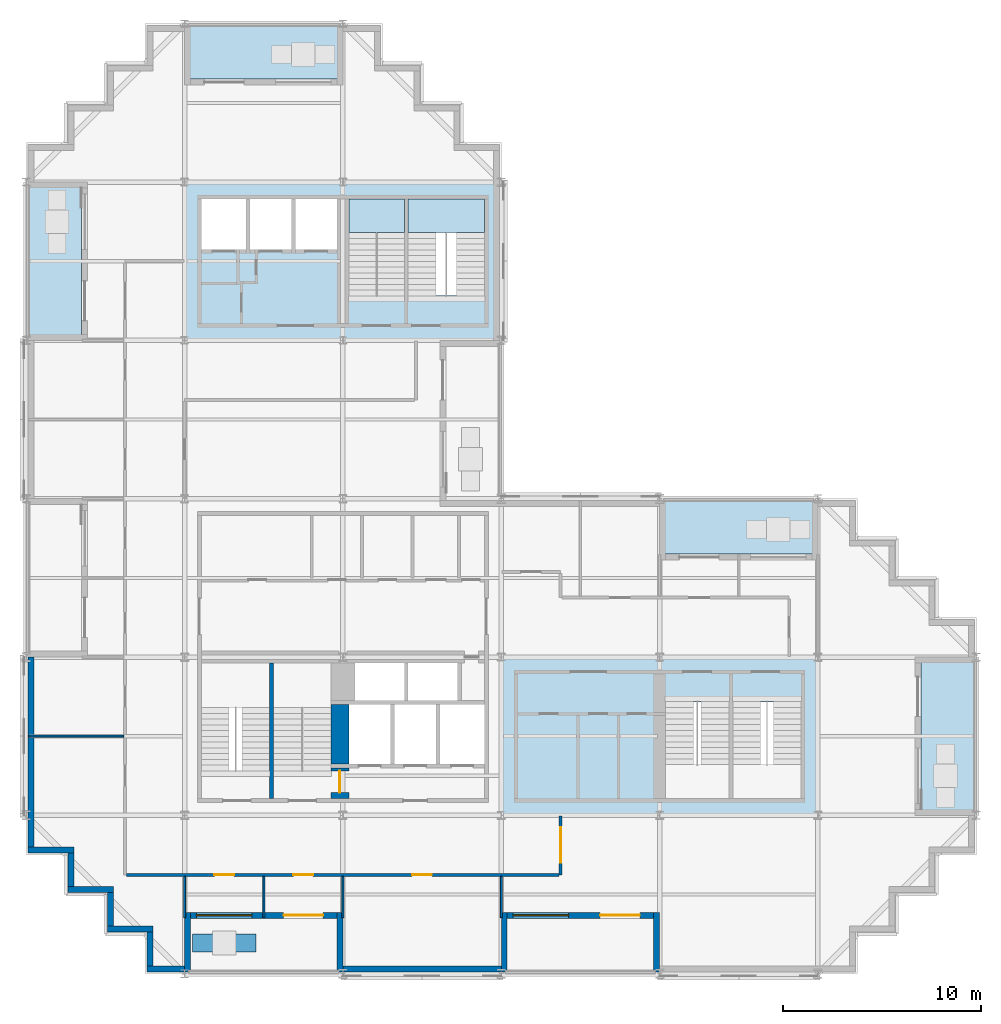
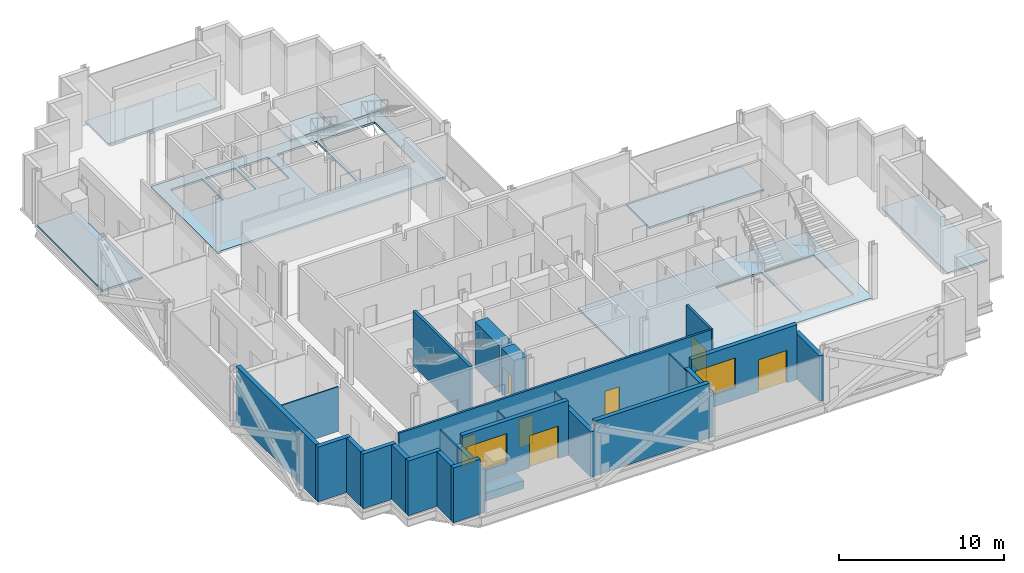
# One storey, part 4 of 12: 26 walls, 8 slabs, 7 doors, 2 windows, 9 openings, 2 elements without a shape of their own.
"""IFC4 building model written with IfcOpenShell, lengths in metres."""

from ifc_helpers import new_model, si_unit, direction, frame, frame_2d, origin, place, context, subcontext, project, spatial, polyline, rectangle, outline, extrude, material, layer, layer_set, type_object, element, fill, aggregate, save


model = new_model("IFC4")

# Units and contexts
model_context = context("Model", 3, precision=1e-05, world=origin(), true_north=direction((0.0, 1.0)))
body_context = subcontext(model_context, "Body", "Model", "MODEL_VIEW")
ifc_project = project(units=[si_unit("LENGTHUNIT", "METRE"), si_unit("AREAUNIT", "SQUARE_METRE"), si_unit("VOLUMEUNIT", "CUBIC_METRE"), si_unit("PLANEANGLEUNIT", "RADIAN"), si_unit("MASSUNIT", "GRAM", prefix="KILO")], contexts=[model_context])

# Site, building, storey
site_placement = place(None, origin())
site = spatial("IfcSite", under=ifc_project, at=site_placement, CompositionType="ELEMENT")
building_placement = place(site_placement, origin())
building = spatial("IfcBuilding", under=site, at=building_placement, Name="Immortelle Media Tower", CompositionType="ELEMENT")
storey_placement = place(building_placement, frame((0.0, 0.0, 132.60009765625)))
storey = spatial("IfcBuildingStorey", under=building, at=storey_placement, Name="L26", CompositionType="ELEMENT", Elevation=132.60009765625)

# Slabs
ifc_material_1 = material(Name="Concrete C50/60 composite deck", Category="concrete")
ifc_layer_1 = layer(ifc_material_1, 0.14990234375)
ifc_layer_set_1 = layer_set([ifc_layer_1], Name="Concrete C50/60 composite deck")
slab_type_1 = type_object("IfcSlabType", Name="Balcony slab 150", PredefinedType="FLOOR", material=ifc_layer_set_1)
slab_1_placement = place(storey_placement, frame((0.0, 0.0, -0.150146484375)))
element("IfcSlab", 1, at=slab_1_placement, inside=storey, type_object=slab_type_1, Name="Balcony slab L26 E0", PredefinedType="FLOOR", context=body_context, shape_type="SweptSolid", body=[
    extrude(outline(polyline([(48.0, 8.0), (48.0, 16.0), (45.199951171875, 16.0), (45.199951171875, 8.0), (48.0, 8.0)])), origin(), (0.0, 0.0, 1.0), 0.150146484375),
])
slab_2_placement = place(storey_placement, frame((0.0, 0.0, -0.150146484375)))
element("IfcSlab", 2, at=slab_2_placement, inside=storey, type_object=slab_type_1, Name="Balcony slab L26 N0", PredefinedType="FLOOR", context=body_context, shape_type="SweptSolid", body=[
    extrude(outline(polyline([(40.0, 21.199951171875), (40.0, 24.0), (32.0, 24.0), (32.0, 21.199951171875), (40.0, 21.199951171875)])), origin(), (0.0, 0.0, 1.0), 0.150146484375),
])
slab_3_placement = place(storey_placement, frame((0.0, 0.0, -0.150146484375)))
element("IfcSlab", 3, at=slab_3_placement, inside=storey, type_object=slab_type_1, Name="Balcony slab L26 N0", PredefinedType="FLOOR", context=body_context, shape_type="SweptSolid", body=[
    extrude(outline(polyline([(16.0, 45.199951171875), (16.0, 48.0), (8.0, 48.0), (8.0, 45.199951171875), (16.0, 45.199951171875)])), origin(), (0.0, 0.0, 1.0), 0.150146484375),
])
slab_4_placement = place(storey_placement, frame((0.0, 0.0, -0.150146484375)))
element("IfcSlab", 4, at=slab_4_placement, inside=storey, type_object=slab_type_1, Name="Balcony slab L26 W0", PredefinedType="FLOOR", context=body_context, shape_type="SweptSolid", body=[
    extrude(outline(polyline([(2.800048828125, 32.0), (2.800048828125, 40.0), (0.0, 40.0), (0.0, 32.0), (2.800048828125, 32.0)])), origin(), (0.0, 0.0, 1.0), 0.150146484375),
])
ifc_material_2 = material(Name="Concrete C50/60", Category="concrete")
ifc_layer_2 = layer(ifc_material_2, 0.14990234375)
ifc_layer_set_2 = layer_set([ifc_layer_2], Name="Concrete C50/60")
slab_type_2 = type_object("IfcSlabType", Name="Core floor slab 150", PredefinedType="FLOOR", material=ifc_layer_set_2)
slab_5_placement = place(storey_placement, frame((0.0, 0.0, -0.150146484375)))
element("IfcSlab", 5, at=slab_5_placement, inside=storey, type_object=slab_type_2, Name="Core floor SE", PredefinedType="FLOOR", context=body_context, shape_type="SweptSolid", body=[
    extrude(outline(polyline([(24.0, 8.0), (40.0, 8.0), (40.0, 16.0), (24.0, 16.0), (24.0, 8.0)]), holes=[polyline([(32.300048828125, 8.85009765625), (35.5, 8.85009765625), (35.5, 13.72998046875), (32.300048828125, 13.72998046875), (32.300048828125, 8.85009765625)]), polyline([(35.699951171875, 8.85009765625), (39.14990234375, 8.85009765625), (39.14990234375, 13.72998046875), (35.699951171875, 13.72998046875), (35.699951171875, 8.85009765625)])]), origin(), (0.0, 0.0, 1.0), 0.150146484375),
])
slab_6_placement = place(storey_placement, frame((0.0, 0.0, -0.150146484375)))
element("IfcSlab", 6, at=slab_6_placement, inside=storey, type_object=slab_type_2, Name="Core floor NW", PredefinedType="FLOOR", context=body_context, shape_type="SweptSolid", body=[
    extrude(outline(polyline([(8.0, 32.0), (24.0, 32.0), (24.0, 40.0), (8.0, 40.0), (8.0, 32.0)]), holes=[polyline([(8.85009765625, 36.60009765625), (11.10009765625, 36.60009765625), (11.10009765625, 39.14990234375), (8.85009765625, 39.14990234375), (8.85009765625, 36.60009765625)]), polyline([(11.300048828125, 36.60009765625), (13.39990234375, 36.60009765625), (13.39990234375, 39.14990234375), (11.300048828125, 39.14990234375), (11.300048828125, 36.60009765625)]), polyline([(13.60009765625, 36.60009765625), (15.699951171875, 36.60009765625), (15.699951171875, 39.14990234375), (13.60009765625, 39.14990234375), (13.60009765625, 36.60009765625)]), polyline([(16.300048828125, 34.27001953125), (19.10009765625, 34.27001953125), (19.10009765625, 39.14990234375), (16.300048828125, 39.14990234375), (16.300048828125, 34.27001953125)]), polyline([(19.300048828125, 34.27001953125), (23.14990234375, 34.27001953125), (23.14990234375, 39.14990234375), (19.300048828125, 39.14990234375), (19.300048828125, 34.27001953125)])]), origin(), (0.0, 0.0, 1.0), 0.150146484375),
])

# Stair, slab
ifc_material_3 = material(Name="Steel ASTM A992 Gr 50", Category="steel")
stair_type = type_object("IfcStairType", Name="Stair with flights", PredefinedType="DOUBLE_RETURN_STAIR", material=ifc_material_3)
stair_1_placement = place(storey_placement, origin())
stair_1 = element("IfcStair", 7, at=stair_1_placement, inside=storey, type_object=stair_type, Name="Exit stair NW1", PredefinedType="DOUBLE_RETURN_STAIR")
ifc_material_4 = material(Name="Steel ASTM A572 Gr 50", Category="steel")
ifc_layer_3 = layer(ifc_material_4, 0.199951171875)
ifc_layer_set_3 = layer_set([ifc_layer_3], Name="Steel ASTM A572 Gr 50")
slab_type_3 = type_object("IfcSlabType", Name="Stair landing 200", PredefinedType="LANDING", material=ifc_layer_set_3)
slab_7_placement = place(storey_placement, frame((0.0, 0.0, 1.89990234375)))
slab_7 = element("IfcSlab", 8, at=slab_7_placement, type_object=slab_type_3, Name="ST NW1 landing 1", PredefinedType="LANDING", context=body_context, shape_type="SweptSolid", body=[
    extrude(outline(polyline([(16.300048828125, 37.43994140625), (19.10009765625, 37.43994140625), (19.10009765625, 39.14990234375), (16.300048828125, 39.14990234375), (16.300048828125, 37.43994140625)])), origin(), (0.0, 0.0, 1.0), 0.199951171875),
])
aggregate(stair_1, [slab_7])

stair_2_placement = place(storey_placement, origin())
stair_2 = element("IfcStair", 9, at=stair_2_placement, inside=storey, type_object=stair_type, Name="Exit stair NW2", PredefinedType="DOUBLE_RETURN_STAIR")
slab_8_placement = place(storey_placement, frame((0.0, 0.0, 1.89990234375)))
slab_8 = element("IfcSlab", 10, at=slab_8_placement, type_object=slab_type_3, Name="ST NW2 landing 1", PredefinedType="LANDING", context=body_context, shape_type="SweptSolid", body=[
    extrude(outline(polyline([(19.300048828125, 37.43994140625), (23.14990234375, 37.43994140625), (23.14990234375, 39.14990234375), (19.300048828125, 39.14990234375), (19.300048828125, 37.43994140625)])), origin(), (0.0, 0.0, 1.0), 0.199951171875),
])
aggregate(stair_2, [slab_8])

# Wall, openings, doors
ifc_material_5 = material(Name="Fire-rated gypsum board", Category="gypsum")
ifc_layer_4 = layer(ifc_material_5, 0.012451171875)
ifc_material_6 = material(Name="Steel ASTM A653 SS Gr 50 stud frame with mineral wool", Category="steel")
ifc_layer_5 = layer(ifc_material_6, 0.125)
ifc_layer_6 = layer(ifc_material_5, 0.012451171875)
ifc_layer_set_4 = layer_set([ifc_layer_4, ifc_layer_5, ifc_layer_6], Name="Steel ASTM A653 SS Gr 50 stud frame with mineral wool")
wall_type_1 = type_object("IfcWallType", Name="Corridor wall 150", PredefinedType="PARTITIONING", material=ifc_layer_set_4)
wall_1_placement = place(storey_placement, frame((5.074951171875, 5.0, 0.0), z_axis=(0.0, 0.0, 1.0), x_axis=(1.0, 0.0, 0.0)))
wall_1 = element("IfcWall", 11, at=wall_1_placement, inside=storey, type_object=wall_type_1, Name="Partition L26-005", PredefinedType="PARTITIONING", context=body_context, shape_type="SweptSolid", body=[
    extrude(rectangle(XDim=21.85009765625, YDim=0.14990234375, at=frame_2d((10.925048828125, 0.0))), origin(), (0.0, 0.0, 1.0), 4.0498046875),
])
opening_1_placement = place(wall_1_placement, frame((15.425048828125, 0.0, 0.0), z_axis=(0.0, 0.0, 1.0), x_axis=(-1.0, 0.0, 0.0)))
opening_1 = element("IfcOpeningElement", 12, at=opening_1_placement, cuts=wall_1, Name="Opening C2-F001", PredefinedType="OPENING", context=body_context, shape_type="SweptSolid", body=[
    extrude(rectangle(XDim=1.0, YDim=2.10009765625, at=frame_2d((0.5, 1.050048828125))), frame((0.0, 0.0849609375, 0.0), z_axis=(0.0, -1.0, 0.0), x_axis=(1.0, 0.0, 0.0)), (0.0, 0.0, 1.0), 0.169921875),
])
opening_2_placement = place(wall_1_placement, frame((5.425048828125, 0.0, 0.0), z_axis=(0.0, 0.0, 1.0), x_axis=(-1.0, 0.0, 0.0)))
opening_2 = element("IfcOpeningElement", 13, at=opening_2_placement, cuts=wall_1, Name="Opening C2-F002", PredefinedType="OPENING", context=body_context, shape_type="SweptSolid", body=[
    extrude(rectangle(XDim=1.0, YDim=2.10009765625, at=frame_2d((0.5, 1.050048828125))), frame((0.0, 0.0849609375, 0.0), z_axis=(0.0, -1.0, 0.0), x_axis=(1.0, 0.0, 0.0)), (0.0, 0.0, 1.0), 0.169921875),
])
opening_3_placement = place(wall_1_placement, frame((9.425048828125, 0.0, 0.0), z_axis=(0.0, 0.0, 1.0), x_axis=(-1.0, 0.0, 0.0)))
opening_3 = element("IfcOpeningElement", 14, at=opening_3_placement, cuts=wall_1, Name="Opening C2-F003", PredefinedType="OPENING", context=body_context, shape_type="SweptSolid", body=[
    extrude(rectangle(XDim=1.0, YDim=2.10009765625, at=frame_2d((0.5, 1.050048828125))), frame((0.0, 0.0849609375, 0.0), z_axis=(0.0, -1.0, 0.0), x_axis=(1.0, 0.0, 0.0)), (0.0, 0.0, 1.0), 0.169921875),
])
ifc_material_7 = material(Name="Timber veneered door leaf, galvanised steel frame ASTM A653", Category="steel")
door_type_1 = type_object("IfcDoorType", Name="Room door 1000 x 2100", OperationType="NOTDEFINED", PredefinedType="DOOR", material=ifc_material_7)
door_1_placement = place(opening_1_placement, origin())
door_1 = element("IfcDoor", 15, at=door_1_placement, inside=storey, type_object=door_type_1, Name="Door C2-F001", OperationType="SINGLE_SWING_RIGHT", OverallHeight=2.10009765625, OverallWidth=1.0, PredefinedType="DOOR", context=body_context, shape_type="SweptSolid", body=[
    extrude(rectangle(XDim=1.0, YDim=2.10009765625, at=frame_2d((0.5, 1.050048828125))), frame((0.0, 0.02490234375, 0.0), z_axis=(0.0, -1.0, 0.0), x_axis=(1.0, 0.0, 0.0)), (0.0, 0.0, 1.0), 0.050048828125),
])
fill(opening_1, door_1)
door_2_placement = place(opening_2_placement, origin())
door_2 = element("IfcDoor", 16, at=door_2_placement, inside=storey, type_object=door_type_1, Name="Door C2-F002", OperationType="SINGLE_SWING_LEFT", OverallHeight=2.10009765625, OverallWidth=1.0, PredefinedType="DOOR", context=body_context, shape_type="SweptSolid", body=[
    extrude(rectangle(XDim=1.0, YDim=2.10009765625, at=frame_2d((0.5, 1.050048828125))), frame((0.0, 0.02490234375, 0.0), z_axis=(0.0, -1.0, 0.0), x_axis=(1.0, 0.0, 0.0)), (0.0, 0.0, 1.0), 0.050048828125),
])
fill(opening_2, door_2)
door_3_placement = place(opening_3_placement, origin())
door_3 = element("IfcDoor", 17, at=door_3_placement, inside=storey, type_object=door_type_1, Name="Door C2-F003", OperationType="SINGLE_SWING_LEFT", OverallHeight=2.10009765625, OverallWidth=1.0, PredefinedType="DOOR", context=body_context, shape_type="SweptSolid", body=[
    extrude(rectangle(XDim=1.0, YDim=2.10009765625, at=frame_2d((0.5, 1.050048828125))), frame((0.0, 0.02490234375, 0.0), z_axis=(0.0, -1.0, 0.0), x_axis=(1.0, 0.0, 0.0)), (0.0, 0.0, 1.0), 0.050048828125),
])
fill(opening_3, door_3)

# Wall, opening, door
wall_2_placement = place(storey_placement, frame((27.0, 5.0, 0.0), z_axis=(0.0, 0.0, 1.0), x_axis=(0.0, 1.0, 0.0)))
wall_2 = element("IfcWall", 18, at=wall_2_placement, inside=storey, type_object=wall_type_1, Name="Partition L26-007", PredefinedType="PARTITIONING", context=body_context, shape_type="SweptSolid", body=[
    extrude(rectangle(XDim=2.969970703125, YDim=0.14990234375, at=frame_2d((1.48486328125, 0.0))), origin(), (0.0, 0.0, 1.0), 4.0498046875),
])
opening_4_placement = place(wall_2_placement, frame((0.60009765625, 0.0, 0.0)))
opening_4 = element("IfcOpeningElement", 19, at=opening_4_placement, cuts=wall_2, Name="Opening C2-F004", PredefinedType="OPENING", context=body_context, shape_type="SweptSolid", body=[
    extrude(rectangle(XDim=1.800048828125, YDim=2.10009765625, at=frame_2d((0.89990234375, 1.050048828125))), frame((0.0, 0.0849609375, 0.0), z_axis=(0.0, -1.0, 0.0), x_axis=(1.0, 0.0, 0.0)), (0.0, 0.0, 1.0), 0.169921875),
])
door_type_2 = type_object("IfcDoorType", Name="Room door 1800 x 2100", OperationType="DOUBLE_DOOR_SINGLE_SWING", PredefinedType="DOOR", material=ifc_material_7)
door_4_placement = place(opening_4_placement, origin())
door_4 = element("IfcDoor", 20, at=door_4_placement, inside=storey, type_object=door_type_2, Name="Door C2-F004", OperationType="DOUBLE_DOOR_SINGLE_SWING", OverallHeight=2.10009765625, OverallWidth=1.800048828125, PredefinedType="DOOR", context=body_context, shape_type="SweptSolid", body=[
    extrude(rectangle(XDim=1.800048828125, YDim=2.10009765625, at=frame_2d((0.89990234375, 1.050048828125))), frame((0.0, 0.02490234375, 0.0), z_axis=(0.0, -1.0, 0.0), x_axis=(1.0, 0.0, 0.0)), (0.0, 0.0, 1.0), 0.050048828125),
])
fill(opening_4, door_4)

# Walls
ifc_material_8 = material(Name="Pale aluminium cladding panel", Category="aluminium")
ifc_layer_7 = layer(ifc_material_8, 0.030029296875)
ifc_layer_8 = layer(ifc_material_6, 0.257568359375)
ifc_material_9 = material(Name="Moisture-resistant gypsum board", Category="gypsum")
ifc_layer_9 = layer(ifc_material_9, 0.012451171875)
ifc_layer_set_5 = layer_set([ifc_layer_7, ifc_layer_8, ifc_layer_9], Name="Steel ASTM A653 SS Gr 50 stud frame with mineral wool")
wall_type_2 = type_object("IfcWallType", Name="Facade wall 300", PredefinedType="SOLIDWALL", material=ifc_layer_set_5)
wall_3_placement = place(storey_placement, frame((0.10009765625, 6.25, 0.0), z_axis=(0.0, 0.0, 1.0), x_axis=(1.0, 0.0, 0.0)))
element("IfcWall", 21, at=wall_3_placement, inside=storey, type_object=wall_type_2, Name="Facade wall L26 S0", PredefinedType="SOLIDWALL", context=body_context, shape_type="SweptSolid", body=[
    extrude(rectangle(XDim=2.2998046875, YDim=0.300048828125, at=frame_2d((1.14990234375, 0.0))), origin(), (0.0, 0.0, 1.0), 4.0498046875),
])
wall_4_placement = place(storey_placement, frame((2.25, 6.10009765625, 0.0), z_axis=(0.0, 0.0, 1.0), x_axis=(0.0, -1.0, 0.0)))
element("IfcWall", 22, at=wall_4_placement, inside=storey, type_object=wall_type_2, Name="Facade wall L26 W1", PredefinedType="SOLIDWALL", context=body_context, shape_type="SweptSolid", body=[
    extrude(rectangle(XDim=1.7001953125, YDim=0.300048828125, at=frame_2d((0.85009765625, 0.0))), origin(), (0.0, 0.0, 1.0), 4.0498046875),
])
wall_5_placement = place(storey_placement, frame((2.10009765625, 4.25, 0.0), z_axis=(0.0, 0.0, 1.0), x_axis=(1.0, 0.0, 0.0)))
element("IfcWall", 23, at=wall_5_placement, inside=storey, type_object=wall_type_2, Name="Facade wall L26 S2", PredefinedType="SOLIDWALL", context=body_context, shape_type="SweptSolid", body=[
    extrude(rectangle(XDim=2.2998046875, YDim=0.300048828125, at=frame_2d((1.14990234375, 0.0))), origin(), (0.0, 0.0, 1.0), 4.0498046875),
])
wall_6_placement = place(storey_placement, frame((4.25, 4.10009765625, 0.0), z_axis=(0.0, 0.0, 1.0), x_axis=(0.0, -1.0, 0.0)))
element("IfcWall", 24, at=wall_6_placement, inside=storey, type_object=wall_type_2, Name="Facade wall L26 W3", PredefinedType="SOLIDWALL", context=body_context, shape_type="SweptSolid", body=[
    extrude(rectangle(XDim=1.7001953125, YDim=0.300048828125, at=frame_2d((0.85009765625, 0.0))), origin(), (0.0, 0.0, 1.0), 4.0498046875),
])
wall_7_placement = place(storey_placement, frame((4.10009765625, 2.25, 0.0), z_axis=(0.0, 0.0, 1.0), x_axis=(1.0, 0.0, 0.0)))
element("IfcWall", 25, at=wall_7_placement, inside=storey, type_object=wall_type_2, Name="Facade wall L26 S4", PredefinedType="SOLIDWALL", context=body_context, shape_type="SweptSolid", body=[
    extrude(rectangle(XDim=2.2998046875, YDim=0.300048828125, at=frame_2d((1.14990234375, 0.0))), origin(), (0.0, 0.0, 1.0), 4.0498046875),
])
wall_8_placement = place(storey_placement, frame((6.25, 2.10009765625, 0.0), z_axis=(0.0, 0.0, 1.0), x_axis=(0.0, -1.0, 0.0)))
element("IfcWall", 26, at=wall_8_placement, inside=storey, type_object=wall_type_2, Name="Facade wall L26 W5", PredefinedType="SOLIDWALL", context=body_context, shape_type="SweptSolid", body=[
    extrude(rectangle(XDim=1.7001953125, YDim=0.300048828125, at=frame_2d((0.85009765625, 0.0))), origin(), (0.0, 0.0, 1.0), 4.0498046875),
])
wall_9_placement = place(storey_placement, frame((6.10009765625, 0.25, 0.0), z_axis=(0.0, 0.0, 1.0), x_axis=(1.0, 0.0, 0.0)))
element("IfcWall", 27, at=wall_9_placement, inside=storey, type_object=wall_type_2, Name="Facade wall L26 S6", PredefinedType="SOLIDWALL", context=body_context, shape_type="SweptSolid", body=[
    extrude(rectangle(XDim=1.89990234375, YDim=0.300048828125, at=frame_2d((0.949951171875, 0.0))), origin(), (0.0, 0.0, 1.0), 4.0498046875),
])

# Wall, openings, door, window
wall_10_placement = place(storey_placement, frame((8.300048828125, 2.949951171875, 0.0), z_axis=(0.0, 0.0, 1.0), x_axis=(1.0, 0.0, 0.0)))
wall_10 = element("IfcWall", 28, at=wall_10_placement, inside=storey, type_object=wall_type_2, Name="Loggia wall L26 S6", PredefinedType="SOLIDWALL", context=body_context, shape_type="SweptSolid", body=[
    extrude(rectangle(XDim=7.39990234375, YDim=0.300048828125, at=frame_2d((3.699951171875, 0.0))), origin(), (0.0, 0.0, 1.0), 4.0498046875),
])
opening_5_placement = place(wall_10_placement, frame((0.300048828125, 0.0, 0.89990234375)))
opening_5 = element("IfcOpeningElement", 29, at=opening_5_placement, cuts=wall_10, Name="Opening W1", PredefinedType="OPENING", context=body_context, shape_type="SweptSolid", body=[
    extrude(rectangle(XDim=2.800048828125, YDim=2.199951171875, at=frame_2d((1.39990234375, 1.10009765625))), frame((0.0, 0.159912109375, 0.0), z_axis=(0.0, -1.0, 0.0), x_axis=(1.0, 0.0, 0.0)), (0.0, 0.0, 1.0), 0.320068359375),
])
opening_6_placement = place(wall_10_placement, frame((4.699951171875, 0.0, 0.0)))
opening_6 = element("IfcOpeningElement", 30, at=opening_6_placement, cuts=wall_10, Name="Opening C2-E001", PredefinedType="OPENING", context=body_context, shape_type="SweptSolid", body=[
    extrude(rectangle(XDim=2.0, YDim=2.39990234375, at=frame_2d((1.0, 1.199951171875))), frame((0.0, 0.159912109375, 0.0), z_axis=(0.0, -1.0, 0.0), x_axis=(1.0, 0.0, 0.0)), (0.0, 0.0, 1.0), 0.320068359375),
])
ifc_material_10 = material(Name="Aluminium frame, glazed leaves", Category="aluminium")
door_type_3 = type_object("IfcDoorType", Name="Loggia door 2000 x 2400", OperationType="DOUBLE_DOOR_SINGLE_SWING", PredefinedType="DOOR", material=ifc_material_10)
door_5_placement = place(opening_6_placement, origin())
door_5 = element("IfcDoor", 31, at=door_5_placement, inside=storey, type_object=door_type_3, Name="Door C2-E001", OperationType="DOUBLE_DOOR_SINGLE_SWING", OverallHeight=2.39990234375, OverallWidth=2.0, PredefinedType="DOOR", context=body_context, shape_type="SweptSolid", body=[
    extrude(rectangle(XDim=2.0, YDim=2.39990234375, at=frame_2d((1.0, 1.199951171875))), frame((0.0, 0.02490234375, 0.0), z_axis=(0.0, -1.0, 0.0), x_axis=(1.0, 0.0, 0.0)), (0.0, 0.0, 1.0), 0.050048828125),
])
fill(opening_6, door_5)
ifc_material_11 = material(Name="Aluminium frame", Category="aluminium")
window_type = type_object("IfcWindowType", Name="Window 2800 x 2200", PartitioningType="SINGLE_PANEL", PredefinedType="WINDOW", material=ifc_material_11)
window_1_placement = place(opening_5_placement, origin())
window_1 = element("IfcWindow", 32, at=window_1_placement, inside=storey, type_object=window_type, Name="Window L26 L26-R6-B0", OverallHeight=2.199951171875, OverallWidth=2.800048828125, PartitioningType="SINGLE_PANEL", PredefinedType="WINDOW", context=body_context, shape_type="SweptSolid", body=[
    extrude(rectangle(XDim=2.800048828125, YDim=2.199951171875, at=frame_2d((1.39990234375, 1.10009765625))), frame((0.0, 0.030029296875, 0.0), z_axis=(0.0, -1.0, 0.0), x_axis=(1.0, 0.0, 0.0)), (0.0, 0.0, 1.0), 0.06005859375),
])
fill(opening_5, window_1)

# Walls
wall_11_placement = place(storey_placement, frame((8.14990234375, 0.10009765625, 0.0), z_axis=(0.0, 0.0, 1.0), x_axis=(0.0, 1.0, 0.0)))
element("IfcWall", 33, at=wall_11_placement, inside=storey, type_object=wall_type_2, Name="Loggia cheek wall L26 S", PredefinedType="SOLIDWALL", context=body_context, shape_type="SweptSolid", body=[
    extrude(rectangle(XDim=3.0, YDim=0.300048828125, at=frame_2d((1.5, 0.0))), origin(), (0.0, 0.0, 1.0), 3.286865234375),
])
wall_12_placement = place(storey_placement, frame((15.85009765625, 0.10009765625, 0.0), z_axis=(0.0, 0.0, 1.0), x_axis=(0.0, 1.0, 0.0)))
element("IfcWall", 34, at=wall_12_placement, inside=storey, type_object=wall_type_2, Name="Loggia cheek wall L26 S", PredefinedType="SOLIDWALL", context=body_context, shape_type="SweptSolid", body=[
    extrude(rectangle(XDim=3.0, YDim=0.300048828125, at=frame_2d((1.5, 0.0))), origin(), (0.0, 0.0, 1.0), 3.35595703125),
])
wall_13_placement = place(storey_placement, frame((16.0, 0.25, 0.0), z_axis=(0.0, 0.0, 1.0), x_axis=(1.0, 0.0, 0.0)))
element("IfcWall", 35, at=wall_13_placement, inside=storey, type_object=wall_type_2, Name="Facade wall L26 S6", PredefinedType="SOLIDWALL", context=body_context, shape_type="SweptSolid", body=[
    extrude(rectangle(XDim=8.0, YDim=0.300048828125, at=frame_2d((4.0, 0.0))), origin(), (0.0, 0.0, 1.0), 4.0498046875),
])

# Wall, openings, door, window
wall_14_placement = place(storey_placement, frame((24.300048828125, 2.949951171875, 0.0), z_axis=(0.0, 0.0, 1.0), x_axis=(1.0, 0.0, 0.0)))
wall_14 = element("IfcWall", 36, at=wall_14_placement, inside=storey, type_object=wall_type_2, Name="Loggia wall L26 S6", PredefinedType="SOLIDWALL", context=body_context, shape_type="SweptSolid", body=[
    extrude(rectangle(XDim=7.39990234375, YDim=0.300048828125, at=frame_2d((3.699951171875, 0.0))), origin(), (0.0, 0.0, 1.0), 4.0498046875),
])
opening_7_placement = place(wall_14_placement, frame((0.300048828125, 0.0, 0.89990234375)))
opening_7 = element("IfcOpeningElement", 37, at=opening_7_placement, cuts=wall_14, Name="Opening W1", PredefinedType="OPENING", context=body_context, shape_type="SweptSolid", body=[
    extrude(rectangle(XDim=2.800048828125, YDim=2.199951171875, at=frame_2d((1.39990234375, 1.10009765625))), frame((0.0, 0.159912109375, 0.0), z_axis=(0.0, -1.0, 0.0), x_axis=(1.0, 0.0, 0.0)), (0.0, 0.0, 1.0), 0.320068359375),
])
opening_8_placement = place(wall_14_placement, frame((4.699951171875, 0.0, 0.0)))
opening_8 = element("IfcOpeningElement", 38, at=opening_8_placement, cuts=wall_14, Name="Opening C2-E002", PredefinedType="OPENING", context=body_context, shape_type="SweptSolid", body=[
    extrude(rectangle(XDim=2.0, YDim=2.39990234375, at=frame_2d((1.0, 1.199951171875))), frame((0.0, 0.159912109375, 0.0), z_axis=(0.0, -1.0, 0.0), x_axis=(1.0, 0.0, 0.0)), (0.0, 0.0, 1.0), 0.320068359375),
])
door_6_placement = place(opening_8_placement, origin())
door_6 = element("IfcDoor", 39, at=door_6_placement, inside=storey, type_object=door_type_3, Name="Door C2-E002", OperationType="DOUBLE_DOOR_SINGLE_SWING", OverallHeight=2.39990234375, OverallWidth=2.0, PredefinedType="DOOR", context=body_context, shape_type="SweptSolid", body=[
    extrude(rectangle(XDim=2.0, YDim=2.39990234375, at=frame_2d((1.0, 1.199951171875))), frame((0.0, 0.02490234375, 0.0), z_axis=(0.0, -1.0, 0.0), x_axis=(1.0, 0.0, 0.0)), (0.0, 0.0, 1.0), 0.050048828125),
])
fill(opening_8, door_6)
window_2_placement = place(opening_7_placement, origin())
window_2 = element("IfcWindow", 40, at=window_2_placement, inside=storey, type_object=window_type, Name="Window L26 L26-R6-B2", OverallHeight=2.199951171875, OverallWidth=2.800048828125, PartitioningType="SINGLE_PANEL", PredefinedType="WINDOW", context=body_context, shape_type="SweptSolid", body=[
    extrude(rectangle(XDim=2.800048828125, YDim=2.199951171875, at=frame_2d((1.39990234375, 1.10009765625))), frame((0.0, 0.030029296875, 0.0), z_axis=(0.0, -1.0, 0.0), x_axis=(1.0, 0.0, 0.0)), (0.0, 0.0, 1.0), 0.06005859375),
])
fill(opening_7, window_2)

# Walls
for number, where, z_axis, x_axis, name in (
    (41, (24.14990234375, 0.10009765625, 0.0), (0.0, 0.0, 1.0), (0.0, 1.0, 0.0), "Loggia cheek wall L26 S"),
    (42, (31.85009765625, 0.10009765625, 0.0), (0.0, 0.0, 1.0), (0.0, 1.0, 0.0), "Loggia cheek wall L26 S"),
):
    element("IfcWall", number, at=place(storey_placement, frame(where, z_axis=z_axis, x_axis=x_axis)), inside=storey, type_object=wall_type_2, Name=name, PredefinedType="SOLIDWALL", context=body_context, shape_type="SweptSolid", body=[
        extrude(rectangle(XDim=3.0, YDim=0.300048828125, at=frame_2d((1.5, 0.0))), origin(), (0.0, 0.0, 1.0), 3.35595703125),
    ])
wall_15_placement = place(storey_placement, frame((0.25, 16.0, 0.0), z_axis=(0.0, 0.0, 1.0), x_axis=(0.0, -1.0, 0.0)))
element("IfcWall", 43, at=wall_15_placement, inside=storey, type_object=wall_type_2, Name="Facade wall L26 W35", PredefinedType="SOLIDWALL", context=body_context, shape_type="SweptSolid", body=[
    extrude(rectangle(XDim=9.60009765625, YDim=0.300048828125, at=frame_2d((4.800048828125, 0.0))), origin(), (0.0, 0.0, 1.0), 4.0498046875),
])
ifc_material_12 = material(Name="Gypsum board", Category="gypsum")
ifc_layer_10 = layer(ifc_material_12, 0.012451171875)
ifc_layer_11 = layer(ifc_material_6, 0.074951171875)
ifc_layer_12 = layer(ifc_material_12, 0.012451171875)
ifc_layer_set_6 = layer_set([ifc_layer_10, ifc_layer_11, ifc_layer_12], Name="Steel ASTM A653 SS Gr 50 stud frame with mineral wool")
wall_type_3 = type_object("IfcWallType", Name="Partition 100", PredefinedType="PARTITIONING", material=ifc_layer_set_6)
for number, where, z_axis, x_axis, name in (
    (44, (8.0, 2.830078125, 0.0), (0.0, 0.0, 1.0), (0.0, 1.0, 0.0), "Partition L26-001"),
    (45, (12.0, 2.830078125, 0.0), (0.0, 0.0, 1.0), (0.0, 1.0, 0.0), "Partition L26-002"),
    (46, (16.0, 2.830078125, 0.0), (0.0, 0.0, 1.0), (0.0, 1.0, 0.0), "Partition L26-003"),
    (47, (24.0, 2.830078125, 0.0), (0.0, 0.0, 1.0), (0.0, 1.0, 0.0), "Partition L26-004"),
):
    element("IfcWall", number, at=place(storey_placement, frame(where, z_axis=z_axis, x_axis=x_axis)), inside=storey, type_object=wall_type_3, Name=name, PredefinedType="PARTITIONING", context=body_context, shape_type="SweptSolid", body=[
        extrude(rectangle(XDim=2.094970703125, YDim=0.10009765625, at=frame_2d((1.04736328125, 0.0))), origin(), (0.0, 0.0, 1.0), 3.287841796875),
    ])
wall_16_placement = place(storey_placement, frame((0.1298828125, 12.0, 0.0), z_axis=(0.0, 0.0, 1.0), x_axis=(1.0, 0.0, 0.0)))
element("IfcWall", 48, at=wall_16_placement, inside=storey, type_object=wall_type_3, Name="Partition L26-008", PredefinedType="PARTITIONING", context=body_context, shape_type="SweptSolid", body=[
    extrude(rectangle(XDim=4.795166015625, YDim=0.10009765625, at=frame_2d((2.3974609375, 0.0))), origin(), (0.0, 0.0, 1.0), 3.287841796875),
])
ifc_layer_13 = layer(ifc_material_8, 0.0029296875)
ifc_material_13 = material(Name="Steel ASTM A572 Gr 50 planter shell", Category="steel")
ifc_layer_14 = layer(ifc_material_13, 0.011962890625)
ifc_material_14 = material(Name="Planting substrate", Category="soil")
ifc_layer_15 = layer(ifc_material_14, 0.873046875)
ifc_layer_16 = layer(ifc_material_13, 0.011962890625)
ifc_layer_set_7 = layer_set([ifc_layer_13, ifc_layer_14, ifc_layer_15, ifc_layer_16], Name="Steel ASTM A572 Gr 50 planter shell")
wall_type_4 = type_object("IfcWallType", Name="Planter wall 900", PredefinedType="SOLIDWALL", material=ifc_layer_set_7)
wall_17_placement = place(storey_placement, frame((8.39990234375, 1.550048828125, 0.0), z_axis=(0.0, 0.0, 1.0), x_axis=(1.0, 0.0, 0.0)))
element("IfcWall", 49, at=wall_17_placement, inside=storey, type_object=wall_type_4, Name="Planter L26 S0", PredefinedType="SOLIDWALL", context=body_context, shape_type="SweptSolid", body=[
    extrude(rectangle(XDim=3.2001953125, YDim=0.89990234375, at=frame_2d((1.60009765625, 0.0))), origin(), (0.0, 0.0, 1.0), 0.599853515625),
])
ifc_material_15 = material(Name="Concrete C60", Category="concrete")
ifc_layer_17 = layer(ifc_material_15, 0.199951171875)
ifc_layer_set_8 = layer_set([ifc_layer_17], Name="Concrete C60")
wall_type_5 = type_object("IfcWallType", Name="Stair shaft wall 200", PredefinedType="PARTITIONING", material=ifc_layer_set_8)
wall_18_placement = place(storey_placement, frame((12.39990234375, 8.85009765625, 0.0), z_axis=(0.0, 0.0, 1.0), x_axis=(0.0, 1.0, 0.0)))
element("IfcWall", 50, at=wall_18_placement, inside=storey, type_object=wall_type_5, Name="Stair shaft wall SW", PredefinedType="PARTITIONING", context=body_context, shape_type="SweptSolid", body=[
    extrude(rectangle(XDim=6.849853515625, YDim=0.199951171875, at=frame_2d((3.4248046875, 0.0))), origin(), (0.0, 0.0, 1.0), 4.0498046875),
])

# Wall, opening, door
ifc_layer_18 = layer(ifc_material_15, 0.89990234375)
ifc_layer_set_9 = layer_set([ifc_layer_18], Name="Concrete C60")
wall_type_6 = type_object("IfcWallType", Name="Stair shaft wall 900", PredefinedType="PARTITIONING", material=ifc_layer_set_9)
wall_19_placement = place(storey_placement, frame((15.85009765625, 8.85009765625, 0.0), z_axis=(0.0, 0.0, 1.0), x_axis=(0.0, 1.0, 0.0)))
wall_19 = element("IfcWall", 51, at=wall_19_placement, inside=storey, type_object=wall_type_6, Name="Stair shaft wall SW", PredefinedType="PARTITIONING", context=body_context, shape_type="SweptSolid", body=[
    extrude(rectangle(XDim=1.5498046875, YDim=0.89990234375, at=frame_2d((0.77490234375, 0.0))), origin(), (0.0, 0.0, 1.0), 3.431884765625),
])
opening_9_placement = place(wall_19_placement, frame((0.300048828125, 0.0, 0.0)))
opening_9 = element("IfcOpeningElement", 52, at=opening_9_placement, cuts=wall_19, Name="Opening C2-K006", PredefinedType="OPENING", context=body_context, shape_type="SweptSolid", body=[
    extrude(rectangle(XDim=1.10009765625, YDim=2.10009765625, at=frame_2d((0.550048828125, 1.050048828125))), frame((0.0, 0.4599609375, 0.0), z_axis=(0.0, -1.0, 0.0), x_axis=(1.0, 0.0, 0.0)), (0.0, 0.0, 1.0), 0.919921875),
])
ifc_material_16 = material(Name="Galvanised steel door leaf and frame ASTM A653", Category="steel")
door_type_4 = type_object("IfcDoorType", Name="Stair lobby door 1100 x 2100", OperationType="NOTDEFINED", PredefinedType="NOTDEFINED", material=ifc_material_16)
door_7_placement = place(opening_9_placement, origin())
door_7 = element("IfcDoor", 53, at=door_7_placement, inside=storey, type_object=door_type_4, Name="Stair lobby C2-K006", OperationType="SINGLE_SWING_LEFT", OverallHeight=2.10009765625, OverallWidth=1.10009765625, PredefinedType="NOTDEFINED", context=body_context, shape_type="SweptSolid", body=[
    extrude(rectangle(XDim=1.10009765625, YDim=2.10009765625, at=frame_2d((0.550048828125, 1.050048828125))), frame((0.0, 0.02490234375, 0.0), z_axis=(0.0, -1.0, 0.0), x_axis=(1.0, 0.0, 0.0)), (0.0, 0.0, 1.0), 0.050048828125),
])
fill(opening_9, door_7)

# Wall
wall_20_placement = place(storey_placement, frame((15.85009765625, 10.60009765625, 0.0), z_axis=(0.0, 0.0, 1.0), x_axis=(0.0, 1.0, 0.0)))
element("IfcWall", 54, at=wall_20_placement, inside=storey, type_object=wall_type_6, Name="Stair shaft wall SW", PredefinedType="PARTITIONING", context=body_context, shape_type="SweptSolid", body=[
    extrude(rectangle(XDim=3.0, YDim=0.89990234375, at=frame_2d((1.5, 0.0))), origin(), (0.0, 0.0, 1.0), 3.431884765625),
])

save(model, "model.ifc")
